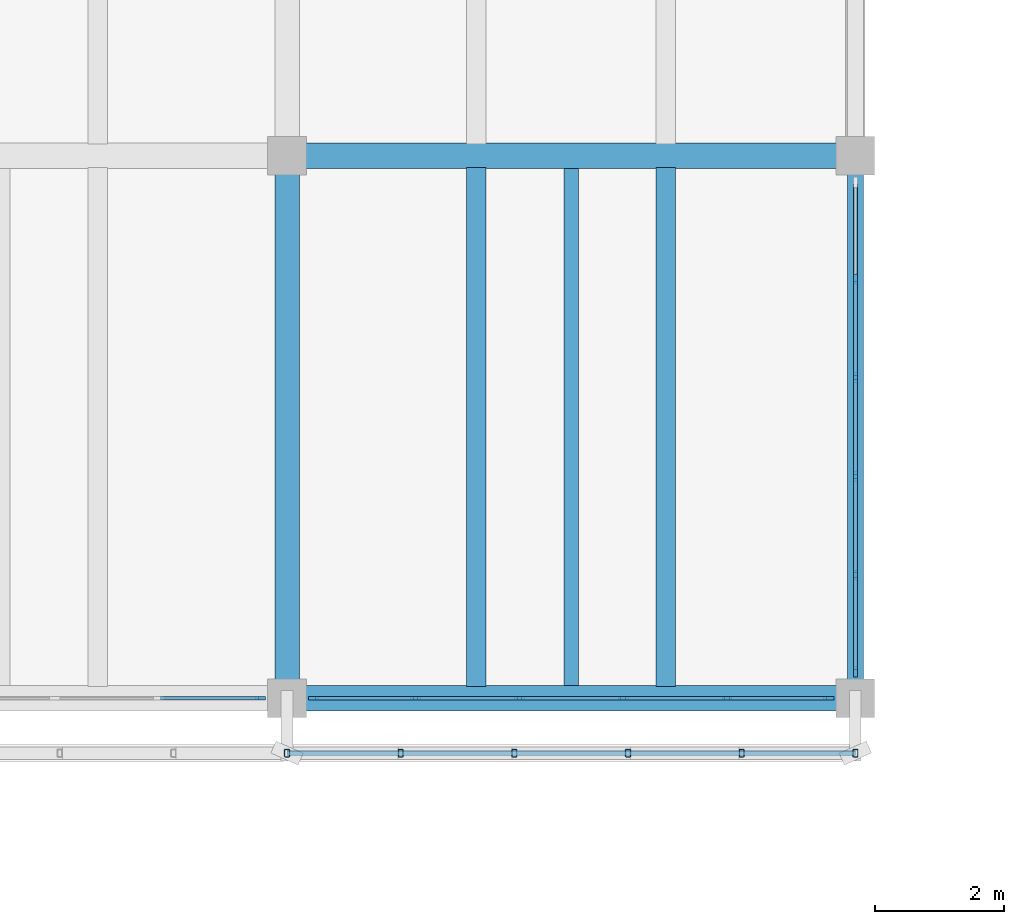
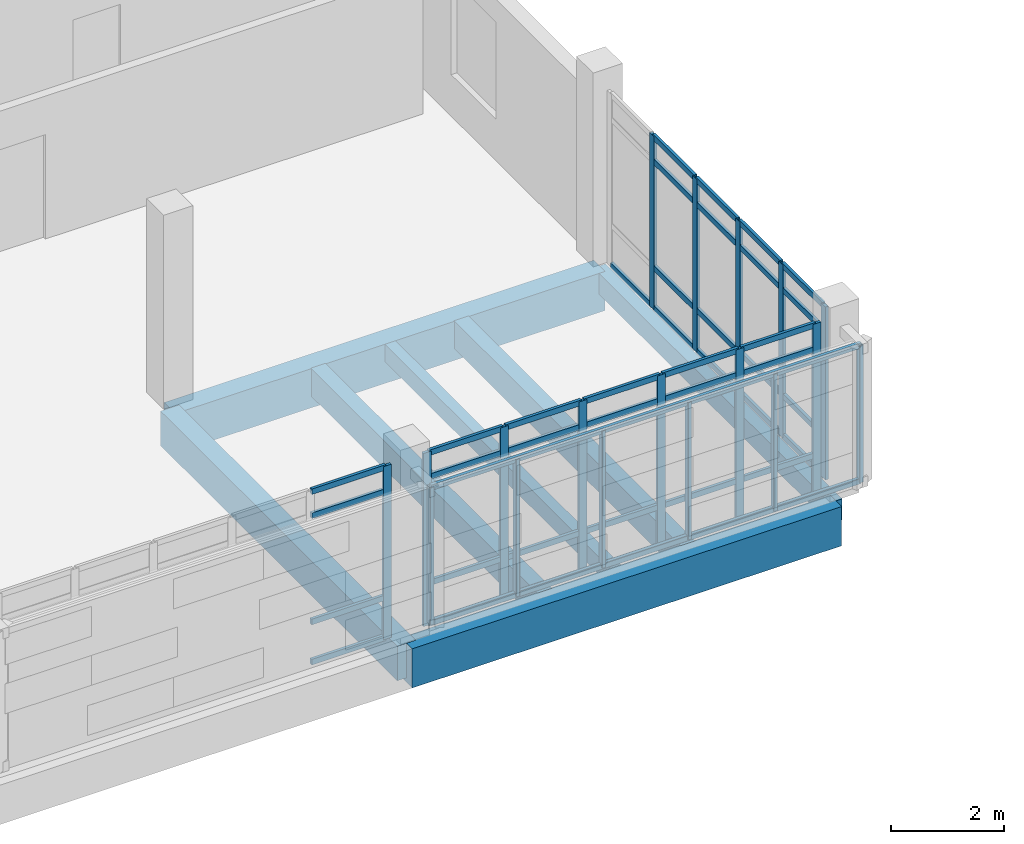
# One storey, part 87 of 137: 61 members, 7 beams, 3 elements without a shape of their own.
"""IFC4 building model written with IfcOpenShell, lengths in metres."""

from ifc_helpers import new_model, si_unit, direction, frame, origin, origin_2d, place, context, subcontext, project, spatial, rectangle, hollow_rectangle, extrude, material, material_profile, profile_set, type_object, element, aggregate, save


model = new_model("IFC4")

# Units and contexts
model_context = context("Model", 3, precision=1e-05, world=origin(), true_north=direction((0.0, 1.0)))
body_context = subcontext(model_context, "Body", "Model", "MODEL_VIEW")
ifc_project = project(units=[si_unit("LENGTHUNIT", "METRE"), si_unit("AREAUNIT", "SQUARE_METRE"), si_unit("VOLUMEUNIT", "CUBIC_METRE"), si_unit("PLANEANGLEUNIT", "RADIAN"), si_unit("MASSUNIT", "GRAM", prefix="KILO")], contexts=[model_context])

# Site, building, storey
site_placement = place(None, origin())
site = spatial("IfcSite", under=ifc_project, at=site_placement, CompositionType="ELEMENT")
building_placement = place(site_placement, origin())
building = spatial("IfcBuilding", under=site, at=building_placement, Name="Cinderway Yard Community Centre", CompositionType="ELEMENT")
storey_placement = place(building_placement, frame((0.0, 0.0, 4.800048828125)))
storey = spatial("IfcBuildingStorey", under=building, at=storey_placement, Name="L01", CompositionType="ELEMENT", Elevation=4.800048828125)

# Curtain wall, member
ifc_material_1 = material(Name="Aluminium 6063-T6", Category="aluminium")
curtain_wall_type_1 = type_object("IfcCurtainWallType", Name="ENV-CW-TYPE-27", PredefinedType="USERDEFINED", material=ifc_material_1)
curtain_wall_1_placement = place(storey_placement, origin())
curtain_wall_1 = element("IfcCurtainWall", 1, at=curtain_wall_1_placement, inside=storey, type_object=curtain_wall_type_1, Name="V4 Courtyard Curtain Wall ENV-CW-L01-ST-0137", ObjectType="GLAZED CURTAIN WALL", PredefinedType="USERDEFINED")
ifc_material_profile_1 = material_profile(ifc_material_1, rectangle(XDim=0.06005859375, YDim=0.159912109375, at=origin_2d()), Name="Aluminium 6063-T6")
ifc_profile_set_1 = profile_set([ifc_material_profile_1], Name="Aluminium 6063-T6")
member_type_1 = type_object("IfcMemberType", Name="ENV-CW-MULL-150", PredefinedType="MULLION", material=ifc_profile_set_1)
member_1_placement = place(storey_placement, frame((136.389892578125, 90.0, 0.0), z_axis=(0.0, 0.0, 1.0), x_axis=(0.0, 1.0, 0.0)))
member_1 = element("IfcMember", 2, at=member_1_placement, type_object=member_type_1, Name="CW-27 mullion 6", PredefinedType="MULLION", context=body_context, shape_type="SweptSolid", body=[
    extrude(rectangle(XDim=0.06005859375, YDim=0.159912109375, at=origin_2d()), origin(), (0.0, 0.0, 1.0), 3.75),
])

# Curtain wall, members
curtain_wall_2_placement = place(storey_placement, origin())
curtain_wall_2 = element("IfcCurtainWall", 3, at=curtain_wall_2_placement, inside=storey, type_object=curtain_wall_type_1, Name="V4 Courtyard Curtain Wall ENV-CW-L01-ST-0139", ObjectType="GLAZED CURTAIN WALL", PredefinedType="USERDEFINED")
member_2_placement = place(storey_placement, frame((137.2099609375, 90.0, 0.0), z_axis=(0.0, 0.0, 1.0), x_axis=(0.0, 1.0, 0.0)))
member_2 = element("IfcMember", 4, at=member_2_placement, type_object=member_type_1, Name="CW-27 mullion 1", PredefinedType="MULLION", context=body_context, shape_type="SweptSolid", body=[
    extrude(rectangle(XDim=0.06005859375, YDim=0.159912109375, at=origin_2d()), origin(), (0.0, 0.0, 1.0), 3.75),
])
member_3_placement = place(storey_placement, frame((138.7880859375, 90.0, 0.0), z_axis=(0.0, 0.0, 1.0), x_axis=(0.0, 1.0, 0.0)))
member_3 = element("IfcMember", 5, at=member_3_placement, type_object=member_type_1, Name="CW-27 mullion 2", PredefinedType="MULLION", context=body_context, shape_type="SweptSolid", body=[
    extrude(rectangle(XDim=0.06005859375, YDim=0.159912109375, at=origin_2d()), origin(), (0.0, 0.0, 1.0), 3.75),
])
member_4_placement = place(storey_placement, frame((140.39599609375, 90.0, 0.0), z_axis=(0.0, 0.0, 1.0), x_axis=(0.0, 1.0, 0.0)))
member_4 = element("IfcMember", 6, at=member_4_placement, type_object=member_type_1, Name="CW-27 mullion 3", PredefinedType="MULLION", context=body_context, shape_type="SweptSolid", body=[
    extrude(rectangle(XDim=0.06005859375, YDim=0.159912109375, at=origin_2d()), origin(), (0.0, 0.0, 1.0), 3.75),
])
member_5_placement = place(storey_placement, frame((142.00390625, 90.0, 0.0), z_axis=(0.0, 0.0, 1.0), x_axis=(0.0, 1.0, 0.0)))
member_5 = element("IfcMember", 7, at=member_5_placement, type_object=member_type_1, Name="CW-27 mullion 4", PredefinedType="MULLION", context=body_context, shape_type="SweptSolid", body=[
    extrude(rectangle(XDim=0.06005859375, YDim=0.159912109375, at=origin_2d()), origin(), (0.0, 0.0, 1.0), 3.75),
])
member_6_placement = place(storey_placement, frame((143.612060546875, 90.0, 0.0), z_axis=(0.0, 0.0, 1.0), x_axis=(0.0, 1.0, 0.0)))
member_6 = element("IfcMember", 8, at=member_6_placement, type_object=member_type_1, Name="CW-27 mullion 5", PredefinedType="MULLION", context=body_context, shape_type="SweptSolid", body=[
    extrude(rectangle(XDim=0.06005859375, YDim=0.159912109375, at=origin_2d()), origin(), (0.0, 0.0, 1.0), 3.75),
])
member_7_placement = place(storey_placement, frame((145.18994140625, 90.0, 0.0), z_axis=(0.0, 0.0, 1.0), x_axis=(0.0, 1.0, 0.0)))
member_7 = element("IfcMember", 9, at=member_7_placement, type_object=member_type_1, Name="CW-27 mullion 6", PredefinedType="MULLION", context=body_context, shape_type="SweptSolid", body=[
    extrude(rectangle(XDim=0.06005859375, YDim=0.159912109375, at=origin_2d()), origin(), (0.0, 0.0, 1.0), 3.75),
])

curtain_wall_type_2 = type_object("IfcCurtainWallType", Name="ENV-CW-TYPE-26", PredefinedType="USERDEFINED", material=ifc_material_1)
curtain_wall_3_placement = place(storey_placement, origin())
curtain_wall_3 = element("IfcCurtainWall", 10, at=curtain_wall_3_placement, inside=storey, type_object=curtain_wall_type_2, Name="V4 East End Curtain Wall ENV-CW-L01-ST-0141", ObjectType="GLAZED CURTAIN WALL", PredefinedType="USERDEFINED")
member_8_placement = place(storey_placement, frame((145.60009765625, 90.409912109375, 0.0), z_axis=(0.0, 0.0, 1.0), x_axis=(-1.0, 0.0, 0.0)))
member_8 = element("IfcMember", 11, at=member_8_placement, type_object=member_type_1, Name="CW-26 mullion 1", PredefinedType="MULLION", context=body_context, shape_type="SweptSolid", body=[
    extrude(rectangle(XDim=0.06005859375, YDim=0.159912109375, at=origin_2d()), origin(), (0.0, 0.0, 1.0), 3.75),
])
member_9_placement = place(storey_placement, frame((145.60009765625, 91.907958984375, 0.0), z_axis=(0.0, 0.0, 1.0), x_axis=(-1.0, 0.0, 0.0)))
member_9 = element("IfcMember", 12, at=member_9_placement, type_object=member_type_1, Name="CW-26 mullion 2", PredefinedType="MULLION", context=body_context, shape_type="SweptSolid", body=[
    extrude(rectangle(XDim=0.06005859375, YDim=0.159912109375, at=origin_2d()), origin(), (0.0, 0.0, 1.0), 3.75),
])
member_10_placement = place(storey_placement, frame((145.60009765625, 93.43603515625, 0.0), z_axis=(0.0, 0.0, 1.0), x_axis=(-1.0, 0.0, 0.0)))
member_10 = element("IfcMember", 13, at=member_10_placement, type_object=member_type_1, Name="CW-26 mullion 3", PredefinedType="MULLION", context=body_context, shape_type="SweptSolid", body=[
    extrude(rectangle(XDim=0.06005859375, YDim=0.159912109375, at=origin_2d()), origin(), (0.0, 0.0, 1.0), 3.75),
])
member_11_placement = place(storey_placement, frame((145.60009765625, 94.964111328125, 0.0), z_axis=(0.0, 0.0, 1.0), x_axis=(-1.0, 0.0, 0.0)))
member_11 = element("IfcMember", 14, at=member_11_placement, type_object=member_type_1, Name="CW-26 mullion 4", PredefinedType="MULLION", context=body_context, shape_type="SweptSolid", body=[
    extrude(rectangle(XDim=0.06005859375, YDim=0.159912109375, at=origin_2d()), origin(), (0.0, 0.0, 1.0), 3.75),
])
member_12_placement = place(storey_placement, frame((145.60009765625, 96.491943359375, 0.0), z_axis=(0.0, 0.0, 1.0), x_axis=(-1.0, 0.0, 0.0)))
member_12 = element("IfcMember", 15, at=member_12_placement, type_object=member_type_1, Name="CW-26 mullion 5", PredefinedType="MULLION", context=body_context, shape_type="SweptSolid", body=[
    extrude(rectangle(XDim=0.06005859375, YDim=0.159912109375, at=origin_2d()), origin(), (0.0, 0.0, 1.0), 3.75),
])

# Member
ifc_material_profile_2 = material_profile(ifc_material_1, rectangle(XDim=0.06005859375, YDim=0.1201171875, at=origin_2d()), Name="Aluminium 6063-T6")
ifc_profile_set_2 = profile_set([ifc_material_profile_2], Name="Aluminium 6063-T6")
member_type_2 = type_object("IfcMemberType", Name="ENV-CW-TRAN-110", PredefinedType="USERDEFINED", material=ifc_profile_set_2)
member_13_placement = place(storey_placement, frame((134.842041015625, 90.0, 0.030029296875), z_axis=(1.0, 0.0, 0.0), x_axis=(0.0, 1.0, 0.0)))
member_13 = element("IfcMember", 16, at=member_13_placement, type_object=member_type_2, Name="CW-27 transom 5.1", ObjectType="TRANSOM", PredefinedType="USERDEFINED", context=body_context, shape_type="SweptSolid", body=[
    extrude(rectangle(XDim=0.06005859375, YDim=0.1201171875, at=origin_2d()), origin(), (0.0, 0.0, 1.0), 1.51806640625),
])

member_14_placement = place(storey_placement, frame((134.842041015625, 90.0, 0.89990234375), z_axis=(1.0, 0.0, 0.0), x_axis=(0.0, 1.0, 0.0)))
member_14 = element("IfcMember", 17, at=member_14_placement, type_object=member_type_2, Name="CW-27 transom 5.2", ObjectType="TRANSOM", PredefinedType="USERDEFINED", context=body_context, shape_type="SweptSolid", body=[
    extrude(rectangle(XDim=0.06005859375, YDim=0.1201171875, at=origin_2d()), origin(), (0.0, 0.0, 1.0), 1.51806640625),
])

member_15_placement = place(storey_placement, frame((134.842041015625, 90.0, 3.199951171875), z_axis=(1.0, 0.0, 0.0), x_axis=(0.0, 1.0, 0.0)))
member_15 = element("IfcMember", 18, at=member_15_placement, type_object=member_type_2, Name="CW-27 transom 5.3", ObjectType="TRANSOM", PredefinedType="USERDEFINED", context=body_context, shape_type="SweptSolid", body=[
    extrude(rectangle(XDim=0.06005859375, YDim=0.1201171875, at=origin_2d()), origin(), (0.0, 0.0, 1.0), 1.51806640625),
])

member_16_placement = place(storey_placement, frame((134.842041015625, 90.0, 3.719970703125), z_axis=(1.0, 0.0, 0.0), x_axis=(0.0, 1.0, 0.0)))
member_16 = element("IfcMember", 19, at=member_16_placement, type_object=member_type_2, Name="CW-27 transom 5.4", ObjectType="TRANSOM", PredefinedType="USERDEFINED", context=body_context, shape_type="SweptSolid", body=[
    extrude(rectangle(XDim=0.06005859375, YDim=0.1201171875, at=origin_2d()), origin(), (0.0, 0.0, 1.0), 1.51806640625),
])

aggregate(curtain_wall_1, [member_1, member_13, member_14, member_15, member_16])

member_17_placement = place(storey_placement, frame((137.239990234375, 90.0, 0.030029296875), z_axis=(1.0, 0.0, 0.0), x_axis=(0.0, 1.0, 0.0)))
member_17 = element("IfcMember", 20, at=member_17_placement, type_object=member_type_2, Name="CW-27 transom 1.1", ObjectType="TRANSOM", PredefinedType="USERDEFINED", context=body_context, shape_type="SweptSolid", body=[
    extrude(rectangle(XDim=0.06005859375, YDim=0.1201171875, at=origin_2d()), origin(), (0.0, 0.0, 1.0), 1.51806640625),
])

member_18_placement = place(storey_placement, frame((137.239990234375, 90.0, 0.89990234375), z_axis=(1.0, 0.0, 0.0), x_axis=(0.0, 1.0, 0.0)))
member_18 = element("IfcMember", 21, at=member_18_placement, type_object=member_type_2, Name="CW-27 transom 1.2", ObjectType="TRANSOM", PredefinedType="USERDEFINED", context=body_context, shape_type="SweptSolid", body=[
    extrude(rectangle(XDim=0.06005859375, YDim=0.1201171875, at=origin_2d()), origin(), (0.0, 0.0, 1.0), 1.51806640625),
])

member_19_placement = place(storey_placement, frame((137.239990234375, 90.0, 3.199951171875), z_axis=(1.0, 0.0, 0.0), x_axis=(0.0, 1.0, 0.0)))
member_19 = element("IfcMember", 22, at=member_19_placement, type_object=member_type_2, Name="CW-27 transom 1.3", ObjectType="TRANSOM", PredefinedType="USERDEFINED", context=body_context, shape_type="SweptSolid", body=[
    extrude(rectangle(XDim=0.06005859375, YDim=0.1201171875, at=origin_2d()), origin(), (0.0, 0.0, 1.0), 1.51806640625),
])

member_20_placement = place(storey_placement, frame((137.239990234375, 90.0, 3.719970703125), z_axis=(1.0, 0.0, 0.0), x_axis=(0.0, 1.0, 0.0)))
member_20 = element("IfcMember", 23, at=member_20_placement, type_object=member_type_2, Name="CW-27 transom 1.4", ObjectType="TRANSOM", PredefinedType="USERDEFINED", context=body_context, shape_type="SweptSolid", body=[
    extrude(rectangle(XDim=0.06005859375, YDim=0.1201171875, at=origin_2d()), origin(), (0.0, 0.0, 1.0), 1.51806640625),
])

member_21_placement = place(storey_placement, frame((138.818115234375, 90.0, 0.030029296875), z_axis=(1.0, 0.0, 0.0), x_axis=(0.0, 1.0, 0.0)))
member_21 = element("IfcMember", 24, at=member_21_placement, type_object=member_type_2, Name="CW-27 transom 2.1", ObjectType="TRANSOM", PredefinedType="USERDEFINED", context=body_context, shape_type="SweptSolid", body=[
    extrude(rectangle(XDim=0.06005859375, YDim=0.1201171875, at=origin_2d()), origin(), (0.0, 0.0, 1.0), 1.5478515625),
])

member_22_placement = place(storey_placement, frame((138.818115234375, 90.0, 0.89990234375), z_axis=(1.0, 0.0, 0.0), x_axis=(0.0, 1.0, 0.0)))
member_22 = element("IfcMember", 25, at=member_22_placement, type_object=member_type_2, Name="CW-27 transom 2.2", ObjectType="TRANSOM", PredefinedType="USERDEFINED", context=body_context, shape_type="SweptSolid", body=[
    extrude(rectangle(XDim=0.06005859375, YDim=0.1201171875, at=origin_2d()), origin(), (0.0, 0.0, 1.0), 1.5478515625),
])

member_23_placement = place(storey_placement, frame((138.818115234375, 90.0, 3.199951171875), z_axis=(1.0, 0.0, 0.0), x_axis=(0.0, 1.0, 0.0)))
member_23 = element("IfcMember", 26, at=member_23_placement, type_object=member_type_2, Name="CW-27 transom 2.3", ObjectType="TRANSOM", PredefinedType="USERDEFINED", context=body_context, shape_type="SweptSolid", body=[
    extrude(rectangle(XDim=0.06005859375, YDim=0.1201171875, at=origin_2d()), origin(), (0.0, 0.0, 1.0), 1.5478515625),
])

member_24_placement = place(storey_placement, frame((138.818115234375, 90.0, 3.719970703125), z_axis=(1.0, 0.0, 0.0), x_axis=(0.0, 1.0, 0.0)))
member_24 = element("IfcMember", 27, at=member_24_placement, type_object=member_type_2, Name="CW-27 transom 2.4", ObjectType="TRANSOM", PredefinedType="USERDEFINED", context=body_context, shape_type="SweptSolid", body=[
    extrude(rectangle(XDim=0.06005859375, YDim=0.1201171875, at=origin_2d()), origin(), (0.0, 0.0, 1.0), 1.5478515625),
])

member_25_placement = place(storey_placement, frame((140.426025390625, 90.0, 0.030029296875), z_axis=(1.0, 0.0, 0.0), x_axis=(0.0, 1.0, 0.0)))
member_25 = element("IfcMember", 28, at=member_25_placement, type_object=member_type_2, Name="CW-27 transom 3.1", ObjectType="TRANSOM", PredefinedType="USERDEFINED", context=body_context, shape_type="SweptSolid", body=[
    extrude(rectangle(XDim=0.06005859375, YDim=0.1201171875, at=origin_2d()), origin(), (0.0, 0.0, 1.0), 1.548095703125),
])

member_26_placement = place(storey_placement, frame((140.426025390625, 90.0, 0.89990234375), z_axis=(1.0, 0.0, 0.0), x_axis=(0.0, 1.0, 0.0)))
member_26 = element("IfcMember", 29, at=member_26_placement, type_object=member_type_2, Name="CW-27 transom 3.2", ObjectType="TRANSOM", PredefinedType="USERDEFINED", context=body_context, shape_type="SweptSolid", body=[
    extrude(rectangle(XDim=0.06005859375, YDim=0.1201171875, at=origin_2d()), origin(), (0.0, 0.0, 1.0), 1.548095703125),
])

member_27_placement = place(storey_placement, frame((140.426025390625, 90.0, 3.199951171875), z_axis=(1.0, 0.0, 0.0), x_axis=(0.0, 1.0, 0.0)))
member_27 = element("IfcMember", 30, at=member_27_placement, type_object=member_type_2, Name="CW-27 transom 3.3", ObjectType="TRANSOM", PredefinedType="USERDEFINED", context=body_context, shape_type="SweptSolid", body=[
    extrude(rectangle(XDim=0.06005859375, YDim=0.1201171875, at=origin_2d()), origin(), (0.0, 0.0, 1.0), 1.548095703125),
])

member_28_placement = place(storey_placement, frame((140.426025390625, 90.0, 3.719970703125), z_axis=(1.0, 0.0, 0.0), x_axis=(0.0, 1.0, 0.0)))
member_28 = element("IfcMember", 31, at=member_28_placement, type_object=member_type_2, Name="CW-27 transom 3.4", ObjectType="TRANSOM", PredefinedType="USERDEFINED", context=body_context, shape_type="SweptSolid", body=[
    extrude(rectangle(XDim=0.06005859375, YDim=0.1201171875, at=origin_2d()), origin(), (0.0, 0.0, 1.0), 1.548095703125),
])

member_29_placement = place(storey_placement, frame((142.033935546875, 90.0, 0.030029296875), z_axis=(1.0, 0.0, 0.0), x_axis=(0.0, 1.0, 0.0)))
member_29 = element("IfcMember", 32, at=member_29_placement, type_object=member_type_2, Name="CW-27 transom 4.1", ObjectType="TRANSOM", PredefinedType="USERDEFINED", context=body_context, shape_type="SweptSolid", body=[
    extrude(rectangle(XDim=0.06005859375, YDim=0.1201171875, at=origin_2d()), origin(), (0.0, 0.0, 1.0), 1.548095703125),
])

member_30_placement = place(storey_placement, frame((142.033935546875, 90.0, 0.89990234375), z_axis=(1.0, 0.0, 0.0), x_axis=(0.0, 1.0, 0.0)))
member_30 = element("IfcMember", 33, at=member_30_placement, type_object=member_type_2, Name="CW-27 transom 4.2", ObjectType="TRANSOM", PredefinedType="USERDEFINED", context=body_context, shape_type="SweptSolid", body=[
    extrude(rectangle(XDim=0.06005859375, YDim=0.1201171875, at=origin_2d()), origin(), (0.0, 0.0, 1.0), 1.548095703125),
])

member_31_placement = place(storey_placement, frame((142.033935546875, 90.0, 3.199951171875), z_axis=(1.0, 0.0, 0.0), x_axis=(0.0, 1.0, 0.0)))
member_31 = element("IfcMember", 34, at=member_31_placement, type_object=member_type_2, Name="CW-27 transom 4.3", ObjectType="TRANSOM", PredefinedType="USERDEFINED", context=body_context, shape_type="SweptSolid", body=[
    extrude(rectangle(XDim=0.06005859375, YDim=0.1201171875, at=origin_2d()), origin(), (0.0, 0.0, 1.0), 1.548095703125),
])

member_32_placement = place(storey_placement, frame((142.033935546875, 90.0, 3.719970703125), z_axis=(1.0, 0.0, 0.0), x_axis=(0.0, 1.0, 0.0)))
member_32 = element("IfcMember", 35, at=member_32_placement, type_object=member_type_2, Name="CW-27 transom 4.4", ObjectType="TRANSOM", PredefinedType="USERDEFINED", context=body_context, shape_type="SweptSolid", body=[
    extrude(rectangle(XDim=0.06005859375, YDim=0.1201171875, at=origin_2d()), origin(), (0.0, 0.0, 1.0), 1.548095703125),
])

member_33_placement = place(storey_placement, frame((143.64208984375, 90.0, 0.030029296875), z_axis=(1.0, 0.0, 0.0), x_axis=(0.0, 1.0, 0.0)))
member_33 = element("IfcMember", 36, at=member_33_placement, type_object=member_type_2, Name="CW-27 transom 5.1", ObjectType="TRANSOM", PredefinedType="USERDEFINED", context=body_context, shape_type="SweptSolid", body=[
    extrude(rectangle(XDim=0.06005859375, YDim=0.1201171875, at=origin_2d()), origin(), (0.0, 0.0, 1.0), 1.517822265625),
])

member_34_placement = place(storey_placement, frame((143.64208984375, 90.0, 0.89990234375), z_axis=(1.0, 0.0, 0.0), x_axis=(0.0, 1.0, 0.0)))
member_34 = element("IfcMember", 37, at=member_34_placement, type_object=member_type_2, Name="CW-27 transom 5.2", ObjectType="TRANSOM", PredefinedType="USERDEFINED", context=body_context, shape_type="SweptSolid", body=[
    extrude(rectangle(XDim=0.06005859375, YDim=0.1201171875, at=origin_2d()), origin(), (0.0, 0.0, 1.0), 1.517822265625),
])

member_35_placement = place(storey_placement, frame((143.64208984375, 90.0, 3.199951171875), z_axis=(1.0, 0.0, 0.0), x_axis=(0.0, 1.0, 0.0)))
member_35 = element("IfcMember", 38, at=member_35_placement, type_object=member_type_2, Name="CW-27 transom 5.3", ObjectType="TRANSOM", PredefinedType="USERDEFINED", context=body_context, shape_type="SweptSolid", body=[
    extrude(rectangle(XDim=0.06005859375, YDim=0.1201171875, at=origin_2d()), origin(), (0.0, 0.0, 1.0), 1.517822265625),
])

member_36_placement = place(storey_placement, frame((143.64208984375, 90.0, 3.719970703125), z_axis=(1.0, 0.0, 0.0), x_axis=(0.0, 1.0, 0.0)))
member_36 = element("IfcMember", 39, at=member_36_placement, type_object=member_type_2, Name="CW-27 transom 5.4", ObjectType="TRANSOM", PredefinedType="USERDEFINED", context=body_context, shape_type="SweptSolid", body=[
    extrude(rectangle(XDim=0.06005859375, YDim=0.1201171875, at=origin_2d()), origin(), (0.0, 0.0, 1.0), 1.517822265625),
])

aggregate(curtain_wall_2, [member_2, member_3, member_4, member_5, member_6, member_7, member_17, member_18, member_19, member_20, member_21, member_22, member_23, member_24, member_25, member_26, member_27, member_28, member_29, member_30, member_31, member_32, member_33, member_34, member_35, member_36])

member_37_placement = place(storey_placement, frame((145.60009765625, 90.43994140625, 0.030029296875), z_axis=(0.0, 1.0, 0.0), x_axis=(-1.0, 0.0, 0.0)))
member_37 = element("IfcMember", 40, at=member_37_placement, type_object=member_type_2, Name="CW-26 transom 1.1", ObjectType="TRANSOM", PredefinedType="USERDEFINED", context=body_context, shape_type="SweptSolid", body=[
    extrude(rectangle(XDim=0.06005859375, YDim=0.1201171875, at=origin_2d()), origin(), (0.0, 0.0, 1.0), 1.43798828125),
])

member_38_placement = place(storey_placement, frame((145.60009765625, 90.43994140625, 0.89990234375), z_axis=(0.0, 1.0, 0.0), x_axis=(-1.0, 0.0, 0.0)))
member_38 = element("IfcMember", 41, at=member_38_placement, type_object=member_type_2, Name="CW-26 transom 1.2", ObjectType="TRANSOM", PredefinedType="USERDEFINED", context=body_context, shape_type="SweptSolid", body=[
    extrude(rectangle(XDim=0.06005859375, YDim=0.1201171875, at=origin_2d()), origin(), (0.0, 0.0, 1.0), 1.43798828125),
])

member_39_placement = place(storey_placement, frame((145.60009765625, 90.43994140625, 3.199951171875), z_axis=(0.0, 1.0, 0.0), x_axis=(-1.0, 0.0, 0.0)))
member_39 = element("IfcMember", 42, at=member_39_placement, type_object=member_type_2, Name="CW-26 transom 1.3", ObjectType="TRANSOM", PredefinedType="USERDEFINED", context=body_context, shape_type="SweptSolid", body=[
    extrude(rectangle(XDim=0.06005859375, YDim=0.1201171875, at=origin_2d()), origin(), (0.0, 0.0, 1.0), 1.43798828125),
])

member_40_placement = place(storey_placement, frame((145.60009765625, 90.43994140625, 3.719970703125), z_axis=(0.0, 1.0, 0.0), x_axis=(-1.0, 0.0, 0.0)))
member_40 = element("IfcMember", 43, at=member_40_placement, type_object=member_type_2, Name="CW-26 transom 1.4", ObjectType="TRANSOM", PredefinedType="USERDEFINED", context=body_context, shape_type="SweptSolid", body=[
    extrude(rectangle(XDim=0.06005859375, YDim=0.1201171875, at=origin_2d()), origin(), (0.0, 0.0, 1.0), 1.43798828125),
])

member_41_placement = place(storey_placement, frame((145.60009765625, 91.93798828125, 0.030029296875), z_axis=(0.0, 1.0, 0.0), x_axis=(-1.0, 0.0, 0.0)))
member_41 = element("IfcMember", 44, at=member_41_placement, type_object=member_type_2, Name="CW-26 transom 2.1", ObjectType="TRANSOM", PredefinedType="USERDEFINED", context=body_context, shape_type="SweptSolid", body=[
    extrude(rectangle(XDim=0.06005859375, YDim=0.1201171875, at=origin_2d()), origin(), (0.0, 0.0, 1.0), 1.468017578125),
])

member_42_placement = place(storey_placement, frame((145.60009765625, 91.93798828125, 0.89990234375), z_axis=(0.0, 1.0, 0.0), x_axis=(-1.0, 0.0, 0.0)))
member_42 = element("IfcMember", 45, at=member_42_placement, type_object=member_type_2, Name="CW-26 transom 2.2", ObjectType="TRANSOM", PredefinedType="USERDEFINED", context=body_context, shape_type="SweptSolid", body=[
    extrude(rectangle(XDim=0.06005859375, YDim=0.1201171875, at=origin_2d()), origin(), (0.0, 0.0, 1.0), 1.468017578125),
])

member_43_placement = place(storey_placement, frame((145.60009765625, 91.93798828125, 3.199951171875), z_axis=(0.0, 1.0, 0.0), x_axis=(-1.0, 0.0, 0.0)))
member_43 = element("IfcMember", 46, at=member_43_placement, type_object=member_type_2, Name="CW-26 transom 2.3", ObjectType="TRANSOM", PredefinedType="USERDEFINED", context=body_context, shape_type="SweptSolid", body=[
    extrude(rectangle(XDim=0.06005859375, YDim=0.1201171875, at=origin_2d()), origin(), (0.0, 0.0, 1.0), 1.468017578125),
])

member_44_placement = place(storey_placement, frame((145.60009765625, 91.93798828125, 3.719970703125), z_axis=(0.0, 1.0, 0.0), x_axis=(-1.0, 0.0, 0.0)))
member_44 = element("IfcMember", 47, at=member_44_placement, type_object=member_type_2, Name="CW-26 transom 2.4", ObjectType="TRANSOM", PredefinedType="USERDEFINED", context=body_context, shape_type="SweptSolid", body=[
    extrude(rectangle(XDim=0.06005859375, YDim=0.1201171875, at=origin_2d()), origin(), (0.0, 0.0, 1.0), 1.468017578125),
])

member_45_placement = place(storey_placement, frame((145.60009765625, 93.466064453125, 0.030029296875), z_axis=(0.0, 1.0, 0.0), x_axis=(-1.0, 0.0, 0.0)))
member_45 = element("IfcMember", 48, at=member_45_placement, type_object=member_type_2, Name="CW-26 transom 3.1", ObjectType="TRANSOM", PredefinedType="USERDEFINED", context=body_context, shape_type="SweptSolid", body=[
    extrude(rectangle(XDim=0.06005859375, YDim=0.1201171875, at=origin_2d()), origin(), (0.0, 0.0, 1.0), 1.468017578125),
])

member_46_placement = place(storey_placement, frame((145.60009765625, 93.466064453125, 0.89990234375), z_axis=(0.0, 1.0, 0.0), x_axis=(-1.0, 0.0, 0.0)))
member_46 = element("IfcMember", 49, at=member_46_placement, type_object=member_type_2, Name="CW-26 transom 3.2", ObjectType="TRANSOM", PredefinedType="USERDEFINED", context=body_context, shape_type="SweptSolid", body=[
    extrude(rectangle(XDim=0.06005859375, YDim=0.1201171875, at=origin_2d()), origin(), (0.0, 0.0, 1.0), 1.468017578125),
])

member_47_placement = place(storey_placement, frame((145.60009765625, 93.466064453125, 3.199951171875), z_axis=(0.0, 1.0, 0.0), x_axis=(-1.0, 0.0, 0.0)))
member_47 = element("IfcMember", 50, at=member_47_placement, type_object=member_type_2, Name="CW-26 transom 3.3", ObjectType="TRANSOM", PredefinedType="USERDEFINED", context=body_context, shape_type="SweptSolid", body=[
    extrude(rectangle(XDim=0.06005859375, YDim=0.1201171875, at=origin_2d()), origin(), (0.0, 0.0, 1.0), 1.468017578125),
])

member_48_placement = place(storey_placement, frame((145.60009765625, 93.466064453125, 3.719970703125), z_axis=(0.0, 1.0, 0.0), x_axis=(-1.0, 0.0, 0.0)))
member_48 = element("IfcMember", 51, at=member_48_placement, type_object=member_type_2, Name="CW-26 transom 3.4", ObjectType="TRANSOM", PredefinedType="USERDEFINED", context=body_context, shape_type="SweptSolid", body=[
    extrude(rectangle(XDim=0.06005859375, YDim=0.1201171875, at=origin_2d()), origin(), (0.0, 0.0, 1.0), 1.468017578125),
])

member_49_placement = place(storey_placement, frame((145.60009765625, 94.993896484375, 0.030029296875), z_axis=(0.0, 1.0, 0.0), x_axis=(-1.0, 0.0, 0.0)))
member_49 = element("IfcMember", 52, at=member_49_placement, type_object=member_type_2, Name="CW-26 transom 4.1", ObjectType="TRANSOM", PredefinedType="USERDEFINED", context=body_context, shape_type="SweptSolid", body=[
    extrude(rectangle(XDim=0.06005859375, YDim=0.1201171875, at=origin_2d()), origin(), (0.0, 0.0, 1.0), 1.468017578125),
])

member_50_placement = place(storey_placement, frame((145.60009765625, 94.993896484375, 0.89990234375), z_axis=(0.0, 1.0, 0.0), x_axis=(-1.0, 0.0, 0.0)))
member_50 = element("IfcMember", 53, at=member_50_placement, type_object=member_type_2, Name="CW-26 transom 4.2", ObjectType="TRANSOM", PredefinedType="USERDEFINED", context=body_context, shape_type="SweptSolid", body=[
    extrude(rectangle(XDim=0.06005859375, YDim=0.1201171875, at=origin_2d()), origin(), (0.0, 0.0, 1.0), 1.468017578125),
])

member_51_placement = place(storey_placement, frame((145.60009765625, 94.993896484375, 3.199951171875), z_axis=(0.0, 1.0, 0.0), x_axis=(-1.0, 0.0, 0.0)))
member_51 = element("IfcMember", 54, at=member_51_placement, type_object=member_type_2, Name="CW-26 transom 4.3", ObjectType="TRANSOM", PredefinedType="USERDEFINED", context=body_context, shape_type="SweptSolid", body=[
    extrude(rectangle(XDim=0.06005859375, YDim=0.1201171875, at=origin_2d()), origin(), (0.0, 0.0, 1.0), 1.468017578125),
])

member_52_placement = place(storey_placement, frame((145.60009765625, 94.993896484375, 3.719970703125), z_axis=(0.0, 1.0, 0.0), x_axis=(-1.0, 0.0, 0.0)))
member_52 = element("IfcMember", 55, at=member_52_placement, type_object=member_type_2, Name="CW-26 transom 4.4", ObjectType="TRANSOM", PredefinedType="USERDEFINED", context=body_context, shape_type="SweptSolid", body=[
    extrude(rectangle(XDim=0.06005859375, YDim=0.1201171875, at=origin_2d()), origin(), (0.0, 0.0, 1.0), 1.468017578125),
])

member_53_placement = place(storey_placement, frame((145.60009765625, 96.52197265625, 0.030029296875), z_axis=(0.0, 1.0, 0.0), x_axis=(-1.0, 0.0, 0.0)))
member_53 = element("IfcMember", 56, at=member_53_placement, type_object=member_type_2, Name="CW-26 transom 5.1", ObjectType="TRANSOM", PredefinedType="USERDEFINED", context=body_context, shape_type="SweptSolid", body=[
    extrude(rectangle(XDim=0.06005859375, YDim=0.1201171875, at=origin_2d()), origin(), (0.0, 0.0, 1.0), 1.43798828125),
])

aggregate(curtain_wall_3, [member_8, member_9, member_10, member_11, member_12, member_37, member_38, member_39, member_40, member_41, member_42, member_43, member_44, member_45, member_46, member_47, member_48, member_49, member_50, member_51, member_52, member_53])

# Members
ifc_material_2 = material(Name="Steel S355", Category="steel")
ifc_material_profile_3 = material_profile(ifc_material_2, hollow_rectangle(XDim=0.080078125, YDim=0.1201171875, WallThickness=0.00634765625, InnerFilletRadius=0.00634765625, OuterFilletRadius=0.0126953125, at=origin_2d()), Name="Steel S355")
ifc_profile_set_3 = profile_set([ifc_material_profile_3], Name="Steel S355")
member_type_3 = type_object("IfcMemberType", Name="ENV-MEM-SCREEN-RAIL-120", PredefinedType="STRINGER", material=ifc_profile_set_3)
member_54_placement = place(storey_placement, frame((136.800048828125, 89.14990234375, 0.68994140625), z_axis=(0.0, 0.0, 1.0), x_axis=(1.0, 0.0, 0.0)))
element("IfcMember", 57, at=member_54_placement, inside=storey, type_object=member_type_3, Name="Screen vertical mullion 0404", PredefinedType="STRINGER", context=body_context, shape_type="SweptSolid", body=[
    extrude(hollow_rectangle(XDim=0.080078125, YDim=0.1201171875, WallThickness=0.00634765625, InnerFilletRadius=0.00634765625, OuterFilletRadius=0.0126953125, at=origin_2d()), origin(), (0.0, 0.0, 1.0), 2.969970703125),
])
for number, where, z_axis, x_axis, name in (
    (58, (136.800048828125, 89.14990234375, 0.7099609375), (1.0, 0.0, 0.0), (0.0, 1.0, 0.0), "Screen support rail 0406-BOT"),
    (59, (136.800048828125, 89.14990234375, 3.639892578125), (1.0, 0.0, 0.0), (0.0, 1.0, 0.0), "Screen support rail 0407-TOP"),
):
    element("IfcMember", number, at=place(storey_placement, frame(where, z_axis=z_axis, x_axis=x_axis)), inside=storey, type_object=member_type_3, Name=name, PredefinedType="STRINGER", context=body_context, shape_type="SweptSolid", body=[
        extrude(hollow_rectangle(XDim=0.080078125, YDim=0.1201171875, WallThickness=0.00634765625, InnerFilletRadius=0.00634765625, OuterFilletRadius=0.0126953125, at=origin_2d()), origin(), (0.0, 0.0, 1.0), 8.800048828125),
    ])
for number, where, z_axis, x_axis, name in (
    (60, (138.56005859375, 89.14990234375, 0.68994140625), (0.0, 0.0, 1.0), (1.0, 0.0, 0.0), "Screen vertical mullion 0408"),
    (61, (140.320068359375, 89.14990234375, 0.68994140625), (0.0, 0.0, 1.0), (1.0, 0.0, 0.0), "Screen vertical mullion 0409"),
    (62, (142.080078125, 89.14990234375, 0.68994140625), (0.0, 0.0, 1.0), (1.0, 0.0, 0.0), "Screen vertical mullion 0410"),
    (63, (143.840087890625, 89.14990234375, 0.68994140625), (0.0, 0.0, 1.0), (1.0, 0.0, 0.0), "Screen vertical mullion 0411"),
    (64, (145.60009765625, 89.14990234375, 0.68994140625), (0.0, 0.0, 1.0), (1.0, 0.0, 0.0), "Screen vertical mullion 0412"),
):
    element("IfcMember", number, at=place(storey_placement, frame(where, z_axis=z_axis, x_axis=x_axis)), inside=storey, type_object=member_type_3, Name=name, PredefinedType="STRINGER", context=body_context, shape_type="SweptSolid", body=[
        extrude(hollow_rectangle(XDim=0.080078125, YDim=0.1201171875, WallThickness=0.00634765625, InnerFilletRadius=0.00634765625, OuterFilletRadius=0.0126953125, at=origin_2d()), origin(), (0.0, 0.0, 1.0), 2.969970703125),
    ])

# Beams
ifc_material_3 = material(Name="Concrete C35/45", Category="concrete")
ifc_material_profile_4 = material_profile(ifc_material_3, rectangle(XDim=0.219970703125, YDim=0.3798828125, at=origin_2d()), Name="Concrete C35/45")
ifc_profile_set_4 = profile_set([ifc_material_profile_4], Name="Concrete C35/45")
beam_type_1 = type_object("IfcBeamType", Name="STR-BM-RC220X380", PredefinedType="LINTEL", material=ifc_profile_set_4)
beam_1_placement = place(storey_placement, frame((141.199951171875, 90.199951171875, -0.449951171875), z_axis=(0.0, 1.0, 0.0), x_axis=(-1.0, 0.0, 0.0)))
element("IfcBeam", 65, at=beam_1_placement, inside=storey, type_object=beam_type_1, Name="Mid-bay secondary beam STR-BM-L01-LN01-1173", PredefinedType="LINTEL", context=body_context, shape_type="SweptSolid", body=[
    extrude(rectangle(XDim=0.219970703125, YDim=0.3798828125, at=origin_2d()), origin(), (0.0, 0.0, 1.0), 8.0),
])
ifc_material_4 = material(Name="Concrete C40/50", Category="concrete")
ifc_material_profile_5 = material_profile(ifc_material_4, rectangle(XDim=0.25, YDim=0.449951171875, at=origin_2d()), Name="Concrete C40/50")
ifc_profile_set_5 = profile_set([ifc_material_profile_5], Name="Concrete C40/50")
beam_type_2 = type_object("IfcBeamType", Name="STR-BM-RC250X450", PredefinedType="SPANDREL", material=ifc_profile_set_5)
beam_2_placement = place(storey_placement, frame((145.60009765625, 90.0, -0.485107421875), z_axis=(0.0, 1.0, 0.0), x_axis=(-1.0, 0.0, 0.0)))
element("IfcBeam", 66, at=beam_2_placement, inside=storey, type_object=beam_type_2, Name="Transverse girder STR-BM-L01-SP02-0256", PredefinedType="SPANDREL", context=body_context, shape_type="SweptSolid", body=[
    extrude(rectangle(XDim=0.25, YDim=0.449951171875, at=origin_2d()), origin(), (0.0, 0.0, 1.0), 8.39990234375),
])
ifc_material_profile_6 = material_profile(ifc_material_3, rectangle(XDim=0.300048828125, YDim=0.60009765625, at=origin_2d()), Name="Concrete C35/45")
ifc_profile_set_6 = profile_set([ifc_material_profile_6], Name="Concrete C35/45")
beam_type_3 = type_object("IfcBeamType", Name="STR-BM-RC300X600", PredefinedType="JOIST", material=ifc_profile_set_6)
for number, where, z_axis, x_axis, name in (
    (67, (139.73291015625, 90.181884765625, -0.56005859375), (0.0, 1.0, 0.0), (-1.0, 0.0, 0.0), "Secondary joist STR-BM-L01-BJ02-0319"),
    (68, (142.6669921875, 90.181884765625, -0.56005859375), (0.0, 1.0, 0.0), (-1.0, 0.0, 0.0), "Secondary joist STR-BM-L01-BJ02-0320"),
):
    element("IfcBeam", number, at=place(storey_placement, frame(where, z_axis=z_axis, x_axis=x_axis)), inside=storey, type_object=beam_type_3, Name=name, PredefinedType="JOIST", context=body_context, shape_type="SweptSolid", body=[
        extrude(rectangle(XDim=0.300048828125, YDim=0.60009765625, at=origin_2d()), origin(), (0.0, 0.0, 1.0), 8.0361328125),
    ])
ifc_material_profile_7 = material_profile(ifc_material_3, rectangle(XDim=0.3798828125, YDim=0.75, at=origin_2d()), Name="Concrete C35/45")
ifc_profile_set_7 = profile_set([ifc_material_profile_7], Name="Concrete C35/45")
beam_type_4 = type_object("IfcBeamType", Name="STR-BM-RC380X750", PredefinedType="BEAM", material=ifc_profile_set_7)
beam_3_placement = place(storey_placement, frame((136.800048828125, 90.0, -0.635009765625), z_axis=(0.0, 1.0, 0.0), x_axis=(-1.0, 0.0, 0.0)))
element("IfcBeam", 69, at=beam_3_placement, inside=storey, type_object=beam_type_4, Name="Transverse girder STR-BM-L01-BG06-0253", PredefinedType="BEAM", context=body_context, shape_type="SweptSolid", body=[
    extrude(rectangle(XDim=0.3798828125, YDim=0.75, at=origin_2d()), origin(), (0.0, 0.0, 1.0), 8.39990234375),
])
ifc_material_profile_8 = material_profile(ifc_material_4, rectangle(XDim=0.39990234375, YDim=0.85009765625, at=origin_2d()), Name="Concrete C40/50")
ifc_profile_set_8 = profile_set([ifc_material_profile_8], Name="Concrete C40/50")
beam_type_5 = type_object("IfcBeamType", Name="STR-BM-RC400X850", PredefinedType="BEAM", material=ifc_profile_set_8)
for number, where, z_axis, x_axis, name in (
    (70, (136.800048828125, 90.0, -0.68505859375), (1.0, 0.0, 0.0), (0.0, 1.0, 0.0), "Primary girder STR-BM-L01-BG04-0183"),
    (71, (136.800048828125, 98.39990234375, -0.68505859375), (1.0, 0.0, 0.0), (0.0, 1.0, 0.0), "Primary girder STR-BM-L01-BG04-0195"),
):
    element("IfcBeam", number, at=place(storey_placement, frame(where, z_axis=z_axis, x_axis=x_axis)), inside=storey, type_object=beam_type_5, Name=name, PredefinedType="BEAM", context=body_context, shape_type="SweptSolid", body=[
        extrude(rectangle(XDim=0.39990234375, YDim=0.85009765625, at=origin_2d()), origin(), (0.0, 0.0, 1.0), 8.800048828125),
    ])

save(model, "model.ifc")
